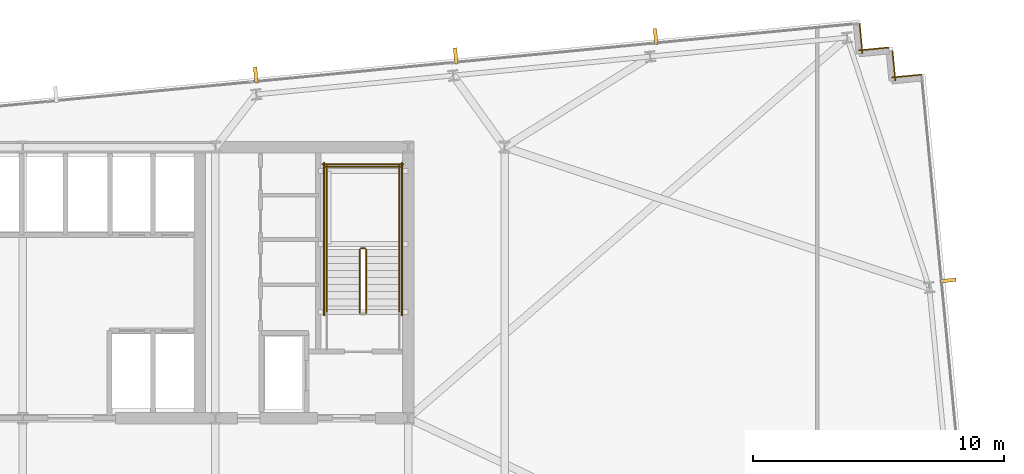
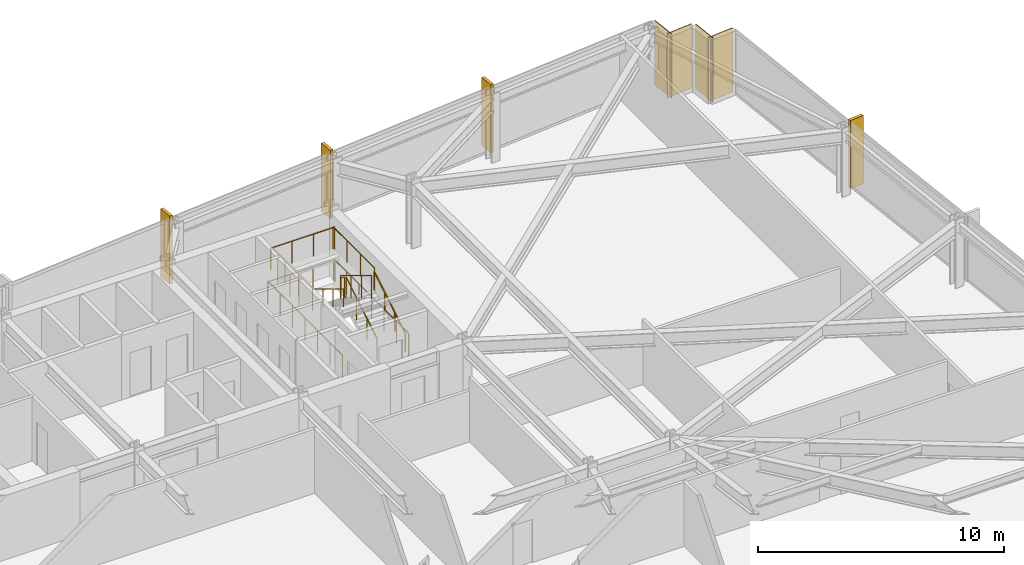
# One storey, part 32 of 32: 11 railings, 4 coverings, 4 shading devices.
"""IFC4 building model written with IfcOpenShell, lengths in metres."""

from ifc_helpers import new_model, si_unit, direction, frame, frame_2d, origin, origin_2d, place, context, subcontext, project, spatial, rectangle, circle, extrude, material, layer, layer_set, type_object, element, save


model = new_model("IFC4")

# Units and contexts
model_context = context("Model", 3, precision=1e-05, world=origin(), true_north=direction((0.0, 1.0)))
body_context = subcontext(model_context, "Body", "Model", "MODEL_VIEW")
ifc_project = project(units=[si_unit("LENGTHUNIT", "METRE"), si_unit("AREAUNIT", "SQUARE_METRE"), si_unit("VOLUMEUNIT", "CUBIC_METRE"), si_unit("PLANEANGLEUNIT", "RADIAN"), si_unit("MASSUNIT", "GRAM", prefix="KILO")], contexts=[model_context])

# Site, building, storey
site_placement = place(None, origin())
site = spatial("IfcSite", under=ifc_project, at=site_placement, CompositionType="ELEMENT")
building_placement = place(site_placement, origin())
building = spatial("IfcBuilding", under=site, at=building_placement, Name="Yelkora Congress Tower", CompositionType="ELEMENT")
storey_placement = place(building_placement, frame((0.0, 0.0, 99.89990234375)))
storey = spatial("IfcBuildingStorey", under=building, at=storey_placement, Name="L26", CompositionType="ELEMENT", Elevation=99.89990234375)

# Coverings
ifc_material_1 = material(Name="Anatolian bush-hammered limestone", Category="masonry")
ifc_layer_1 = layer(ifc_material_1, 0.0400390625)
ifc_layer_set_1 = layer_set([ifc_layer_1], Name="Anatolian bush-hammered limestone")
covering_type = type_object("IfcCoveringType", Name="COV-CLAD-SPANDREL-40", PredefinedType="CLADDING", material=ifc_layer_set_1)
for number, where, z_axis, x_axis, name in (
    (1, (71.74609375, 51.1279296875, 0.0), (0.0, 0.0, 1.0), (0.095817067274, -0.995398960025, 0.0), "L26 Anatolian Limestone Cladding EW-L26-SR11"),
    (2, (71.7138671875, 50.0546875, 0.0), (0.0, 0.0, 1.0), (0.995379537303, 0.096018626938, 0.0), "L26 Anatolian Limestone Cladding EW-L26-SR12"),
):
    element("IfcCovering", number, at=place(storey_placement, frame(where, z_axis=z_axis, x_axis=x_axis)), inside=storey, type_object=covering_type, Name=name, PredefinedType="CLADDING", context=body_context, shape_type="SweptSolid", body=[
        extrude(rectangle(XDim=1.2001953125, YDim=0.0400390625, at=frame_2d((0.60009765625, 0.0))), origin(), (0.0, 0.0, 1.0), 3.18017578125),
    ])
covering_1_placement = place(storey_placement, frame((73.0556640625, 50.04833984375, 0.0), z_axis=(0.0, 0.0, 1.0), x_axis=(0.095836473879, -0.995397091755, 0.0)))
element("IfcCovering", 3, at=covering_1_placement, inside=storey, type_object=covering_type, Name="L26 Anatolian Limestone Cladding EW-L26-SR13", PredefinedType="CLADDING", context=body_context, shape_type="SweptSolid", body=[
    extrude(rectangle(XDim=1.199951171875, YDim=0.0400390625, at=frame_2d((0.60009765625, 0.0))), origin(), (0.0, 0.0, 1.0), 3.18017578125),
])
covering_2_placement = place(storey_placement, frame((73.0234375, 48.975341796875, 0.0), z_axis=(0.0, 0.0, 1.0), x_axis=(0.995398960025, 0.095817067274, 0.0)))
element("IfcCovering", 4, at=covering_2_placement, inside=storey, type_object=covering_type, Name="L26 Anatolian Limestone Cladding EW-L26-SR14", PredefinedType="CLADDING", context=body_context, shape_type="SweptSolid", body=[
    extrude(rectangle(XDim=1.2001953125, YDim=0.0400390625, at=frame_2d((0.60009765625, 0.0))), origin(), (0.0, 0.0, 1.0), 3.18017578125),
])

# Railings
ifc_material_2 = material(Name="Painted galvanised steel stair well guard with vertical infill", Category="steel")
ifc_layer_2 = layer(ifc_material_2, 0.06005859375)
ifc_layer_set_2 = layer_set([ifc_layer_2], Name="Painted galvanised steel stair well guard with vertical infill")
railing_type_1 = type_object("IfcRailingType", Name="RAIL-STAIR-GUARD-1120", PredefinedType="GUARDRAIL", material=ifc_layer_set_2)
railing_1_placement = place(storey_placement, frame((52.090087890625, 39.60009765625, 0.170166015625)))
element("IfcRailing", 5, at=railing_1_placement, inside=storey, type_object=railing_type_1, Name="ST-02 L26 Stair Well Guardrail 1", PredefinedType="GUARDRAIL", context=body_context, shape_type="SweptSolid", body=[
    extrude(circle(Radius=0.02392578125, at=origin_2d()), frame((0.0, 0.0, 1.09619140625), z_axis=(0.0, 0.85478489116, 0.518982456201), x_axis=(-1.0, 0.0, 0.0)), (0.0, 0.0, 1.0), 2.9482421875),
    extrude(circle(Radius=0.02099609375, at=origin_2d()), origin(), (0.0, 0.0, 1.0), 1.072021484375),
    extrude(circle(Radius=0.02099609375, at=origin_2d()), frame((0.0, 0.840087890625, 0.510009765625)), (0.0, 0.0, 1.0), 1.072021484375),
    extrude(circle(Radius=0.02099609375, at=origin_2d()), frame((0.0, 1.679931640625, 1.02001953125)), (0.0, 0.0, 1.0), 1.072021484375),
    extrude(circle(Radius=0.02099609375, at=origin_2d()), frame((0.0, 2.52001953125, 1.530029296875)), (0.0, 0.0, 1.0), 1.072021484375),
])
railing_2_placement = place(storey_placement, frame((52.0400390625, 42.169921875, 1.7001953125)))
element("IfcRailing", 6, at=railing_2_placement, inside=storey, type_object=railing_type_1, Name="ST-02 L26 Stair Well Guardrail 2", PredefinedType="GUARDRAIL", context=body_context, shape_type="SweptSolid", body=[
    extrude(circle(Radius=0.02392578125, at=origin_2d()), frame((0.0, 0.0, 1.09619140625), z_axis=(-1.0, 0.0, 0.0), x_axis=(0.0, -1.0, 0.0)), (0.0, 0.0, 1.0), 0.16015625),
    extrude(circle(Radius=0.02099609375, at=origin_2d()), origin(), (0.0, 0.0, 1.0), 1.072021484375),
    extrude(circle(Radius=0.02099609375, at=origin_2d()), frame((-0.16015625, 0.0, 0.0)), (0.0, 0.0, 1.0), 1.072021484375),
])
for number, where, name in (
    (7, (53.409912109375, 42.1201171875, 1.7001953125), "ST-02 L26 Stair Well Guardrail 3"),
    (8, (50.510009765625, 42.1201171875, 1.7001953125), "ST-02 L26 Stair Well Guardrail 4"),
):
    element("IfcRailing", number, at=place(storey_placement, frame(where)), inside=storey, type_object=railing_type_1, Name=name, PredefinedType="GUARDRAIL", context=body_context, shape_type="SweptSolid", body=[
        extrude(circle(Radius=0.02392578125, at=origin_2d()), frame((0.0, 0.0, 1.09619140625), z_axis=(0.0, 1.0, 0.0), x_axis=(-1.0, 0.0, 0.0)), (0.0, 0.0, 1.0), 3.349853515625),
        extrude(circle(Radius=0.02099609375, at=origin_2d()), origin(), (0.0, 0.0, 1.0), 1.072021484375),
        extrude(circle(Radius=0.02099609375, at=origin_2d()), frame((0.0, 1.11669921875, 0.0)), (0.0, 0.0, 1.0), 1.072021484375),
        extrude(circle(Radius=0.02099609375, at=origin_2d()), frame((0.0, 2.233154296875, 0.0)), (0.0, 0.0, 1.0), 1.072021484375),
        extrude(circle(Radius=0.02099609375, at=origin_2d()), frame((0.0, 3.349853515625, 0.0)), (0.0, 0.0, 1.0), 1.072021484375),
    ])
railing_3_placement = place(storey_placement, frame((53.4599609375, 45.419921875, 1.7001953125)))
element("IfcRailing", 9, at=railing_3_placement, inside=storey, type_object=railing_type_1, Name="ST-02 L26 Stair Well Guardrail 5", PredefinedType="GUARDRAIL", context=body_context, shape_type="SweptSolid", body=[
    extrude(circle(Radius=0.02392578125, at=origin_2d()), frame((0.0, 0.0, 1.09619140625), z_axis=(-1.0, 0.0, 0.0), x_axis=(0.0, -1.0, 0.0)), (0.0, 0.0, 1.0), 3.0),
    extrude(circle(Radius=0.02099609375, at=origin_2d()), origin(), (0.0, 0.0, 1.0), 1.072021484375),
    extrude(circle(Radius=0.02099609375, at=origin_2d()), frame((-1.0, 0.0, 0.0)), (0.0, 0.0, 1.0), 1.072021484375),
    extrude(circle(Radius=0.02099609375, at=origin_2d()), frame((-2.0, 0.0, 0.0)), (0.0, 0.0, 1.0), 1.072021484375),
    extrude(circle(Radius=0.02099609375, at=origin_2d()), frame((-3.0, 0.0, 0.0)), (0.0, 0.0, 1.0), 1.072021484375),
])
railing_4_placement = place(storey_placement, frame((51.830078125, 42.1201171875, 1.8701171875)))
element("IfcRailing", 10, at=railing_4_placement, inside=storey, type_object=railing_type_1, Name="ST-02 L26 Stair Well Guardrail 6", PredefinedType="GUARDRAIL", context=body_context, shape_type="SweptSolid", body=[
    extrude(circle(Radius=0.02392578125, at=origin_2d()), frame((0.0, 0.0, 1.09619140625), z_axis=(0.0, -0.85478489116, 0.518982456201), x_axis=(1.0, 0.0, 0.0)), (0.0, 0.0, 1.0), 2.9482421875),
    extrude(circle(Radius=0.02099609375, at=origin_2d()), origin(), (0.0, 0.0, 1.0), 1.072021484375),
    extrude(circle(Radius=0.02099609375, at=origin_2d()), frame((0.0, -0.840087890625, 0.510009765625)), (0.0, 0.0, 1.0), 1.072021484375),
    extrude(circle(Radius=0.02099609375, at=origin_2d()), frame((0.0, -1.679931640625, 1.02001953125)), (0.0, 0.0, 1.0), 1.072021484375),
    extrude(circle(Radius=0.02099609375, at=origin_2d()), frame((0.0, -2.52001953125, 1.530029296875)), (0.0, 0.0, 1.0), 1.072021484375),
])
for number, where, name in (
    (11, (53.510009765625, 39.5, 0.0), "ST-02 L26 Stair Well Guardrail 10"),
    (12, (50.409912109375, 39.5, 0.0), "ST-02 L26 Stair Well Guardrail 11"),
):
    element("IfcRailing", number, at=place(storey_placement, frame(where)), inside=storey, type_object=railing_type_1, Name=name, PredefinedType="GUARDRAIL", context=body_context, shape_type="SweptSolid", body=[
        extrude(circle(Radius=0.02392578125, at=origin_2d()), frame((0.0, 0.0, 1.09619140625), z_axis=(0.0, 1.0, 0.0), x_axis=(-1.0, 0.0, 0.0)), (0.0, 0.0, 1.0), 6.070068359375),
        extrude(circle(Radius=0.02099609375, at=origin_2d()), origin(), (0.0, 0.0, 1.0), 1.072021484375),
        extrude(circle(Radius=0.02099609375, at=origin_2d()), frame((0.0, 1.01171875, 0.0)), (0.0, 0.0, 1.0), 1.072021484375),
        extrude(circle(Radius=0.02099609375, at=origin_2d()), frame((0.0, 2.0234375, 0.0)), (0.0, 0.0, 1.0), 1.072021484375),
        extrude(circle(Radius=0.02099609375, at=origin_2d()), frame((0.0, 3.03515625, 0.0)), (0.0, 0.0, 1.0), 1.072021484375),
        extrude(circle(Radius=0.02099609375, at=origin_2d()), frame((0.0, 4.046630859375, 0.0)), (0.0, 0.0, 1.0), 1.072021484375),
        extrude(circle(Radius=0.02099609375, at=origin_2d()), frame((0.0, 5.058349609375, 0.0)), (0.0, 0.0, 1.0), 1.072021484375),
        extrude(circle(Radius=0.02099609375, at=origin_2d()), frame((0.0, 6.070068359375, 0.0)), (0.0, 0.0, 1.0), 1.072021484375),
    ])
railing_5_placement = place(storey_placement, frame((53.56005859375, 45.52001953125, 0.0)))
element("IfcRailing", 13, at=railing_5_placement, inside=storey, type_object=railing_type_1, Name="ST-02 L26 Stair Well Guardrail 12", PredefinedType="GUARDRAIL", context=body_context, shape_type="SweptSolid", body=[
    extrude(circle(Radius=0.02392578125, at=origin_2d()), frame((0.0, 0.0, 1.09619140625), z_axis=(-1.0, 0.0, 0.0), x_axis=(0.0, -1.0, 0.0)), (0.0, 0.0, 1.0), 3.199951171875),
    extrude(circle(Radius=0.02099609375, at=origin_2d()), origin(), (0.0, 0.0, 1.0), 1.072021484375),
    extrude(circle(Radius=0.02099609375, at=origin_2d()), frame((-1.066650390625, 0.0, 0.0)), (0.0, 0.0, 1.0), 1.072021484375),
    extrude(circle(Radius=0.02099609375, at=origin_2d()), frame((-2.13330078125, 0.0, 0.0)), (0.0, 0.0, 1.0), 1.072021484375),
    extrude(circle(Radius=0.02099609375, at=origin_2d()), frame((-3.199951171875, 0.0, 0.0)), (0.0, 0.0, 1.0), 1.072021484375),
])
ifc_material_3 = material(Name="Brushed stainless steel tubular handrail", Category="steel")
ifc_layer_3 = layer(ifc_material_3, 0.050048828125)
ifc_layer_set_3 = layer_set([ifc_layer_3], Name="Brushed stainless steel tubular handrail")
railing_type_2 = type_object("IfcRailingType", Name="RAIL-STAIR-HAND-920", PredefinedType="HANDRAIL", material=ifc_layer_set_3)
railing_6_placement = place(storey_placement, frame((53.409912109375, 39.60009765625, 0.170166015625)))
element("IfcRailing", 14, at=railing_6_placement, inside=storey, type_object=railing_type_2, Name="ST-02 L26 Pitch Handrail 1", PredefinedType="HANDRAIL", context=body_context, shape_type="SweptSolid", body=[
    extrude(circle(Radius=0.02392578125, at=origin_2d()), frame((0.0, 0.0, 0.89599609375), z_axis=(0.0, 0.85478489116, 0.518982456201), x_axis=(-1.0, 0.0, 0.0)), (0.0, 0.0, 1.0), 2.9482421875),
    extrude(circle(Radius=0.02099609375, at=origin_2d()), origin(), (0.0, 0.0, 1.0), 0.871826171875),
    extrude(circle(Radius=0.02099609375, at=origin_2d()), frame((0.0, 0.840087890625, 0.510009765625)), (0.0, 0.0, 1.0), 0.871826171875),
    extrude(circle(Radius=0.02099609375, at=origin_2d()), frame((0.0, 1.679931640625, 1.02001953125)), (0.0, 0.0, 1.0), 0.871826171875),
    extrude(circle(Radius=0.02099609375, at=origin_2d()), frame((0.0, 2.52001953125, 1.530029296875)), (0.0, 0.0, 1.0), 0.871826171875),
])
railing_7_placement = place(storey_placement, frame((50.510009765625, 42.1201171875, 1.8701171875)))
element("IfcRailing", 15, at=railing_7_placement, inside=storey, type_object=railing_type_2, Name="ST-02 L26 Pitch Handrail 2", PredefinedType="HANDRAIL", context=body_context, shape_type="SweptSolid", body=[
    extrude(circle(Radius=0.02392578125, at=origin_2d()), frame((0.0, 0.0, 0.89599609375), z_axis=(0.0, -0.85478489116, 0.518982456201), x_axis=(1.0, 0.0, 0.0)), (0.0, 0.0, 1.0), 2.9482421875),
    extrude(circle(Radius=0.02099609375, at=origin_2d()), origin(), (0.0, 0.0, 1.0), 0.871826171875),
    extrude(circle(Radius=0.02099609375, at=origin_2d()), frame((0.0, -0.840087890625, 0.510009765625)), (0.0, 0.0, 1.0), 0.871826171875),
    extrude(circle(Radius=0.02099609375, at=origin_2d()), frame((0.0, -1.679931640625, 1.02001953125)), (0.0, 0.0, 1.0), 0.871826171875),
    extrude(circle(Radius=0.02099609375, at=origin_2d()), frame((0.0, -2.52001953125, 1.530029296875)), (0.0, 0.0, 1.0), 0.871826171875),
])

# Shading devices
ifc_material_4 = material(Name="Champagne anodised aluminium", Category="aluminium")
ifc_layer_4 = layer(ifc_material_4, 3.39990234375)
ifc_layer_set_4 = layer_set([ifc_layer_4], Name="Champagne anodised aluminium")
shading_device_type = type_object("IfcShadingDeviceType", Name="SHD-FIN-ALU-640", PredefinedType="USERDEFINED", material=ifc_layer_set_4)
for number, where, z_axis, x_axis, name in (
    (16, (47.68896484375, 49.072509765625, -0.02978515625), (0.0, 0.0, 1.0), (0.995396198367, 0.09584575252, 0.0), "L26 Vertical Anodised Solar Fin 10-4"),
    (17, (55.65478515625, 49.839599609375, -0.02978515625), (0.0, 0.0, 1.0), (0.995396198367, 0.09584575252, 0.0), "L26 Vertical Anodised Solar Fin 10-5"),
    (18, (63.620849609375, 50.606689453125, -0.02978515625), (0.0, 0.0, 1.0), (0.995396198367, 0.09584575252, 0.0), "L26 Vertical Anodised Solar Fin 10-6"),
    (19, (75.268798828125, 40.888427734375, -0.02978515625), (0.0, 0.0, 1.0), (0.09584575252, -0.995396198367, 0.0), "L26 Vertical Anodised Solar Fin 15-1"),
):
    element("IfcShadingDevice", number, at=place(storey_placement, frame(where, z_axis=z_axis, x_axis=x_axis)), inside=storey, type_object=shading_device_type, Name=name, ObjectType="FIN", PredefinedType="USERDEFINED", context=body_context, shape_type="SweptSolid", body=[
        extrude(rectangle(XDim=0.139892578125, YDim=0.639892578125, at=origin_2d()), origin(), (0.0, 0.0, 1.0), 3.3798828125),
    ])

save(model, "model.ifc")
